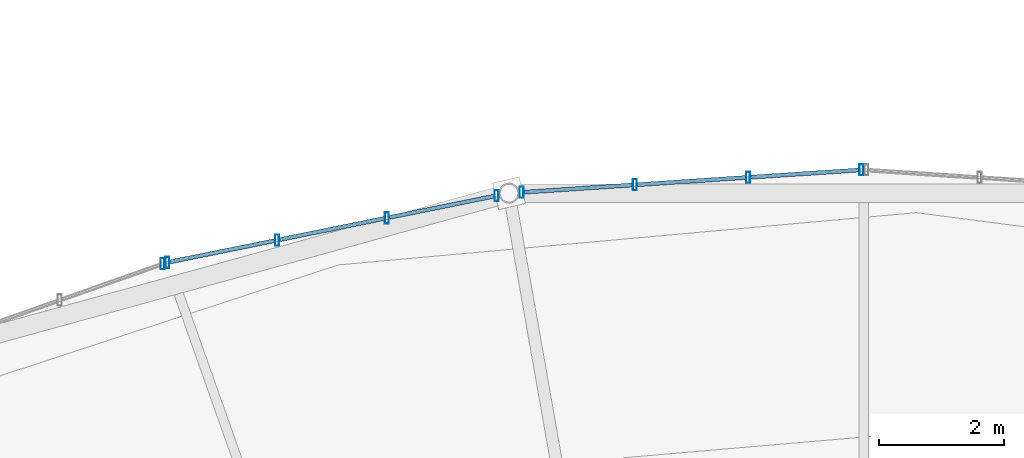
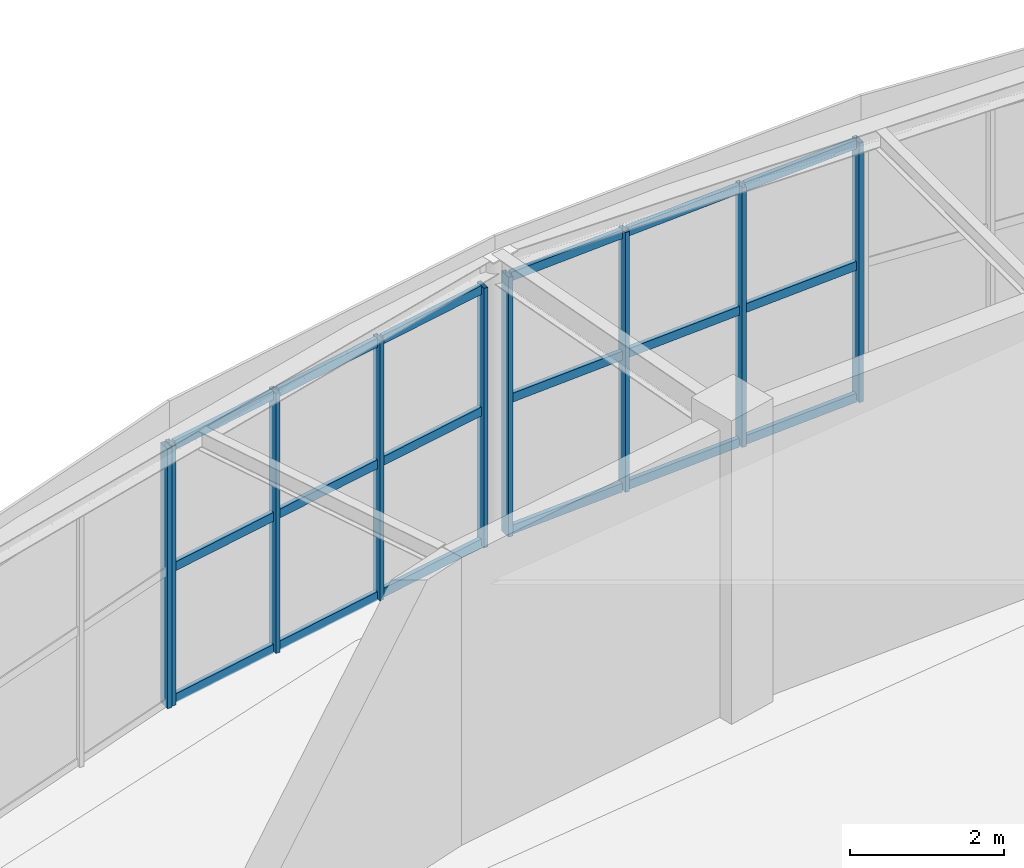
# One storey, part 59 of 108: 27 members, 3 elements without a shape of their own.
"""IFC4 building model written with IfcOpenShell, lengths in metres."""

from ifc_helpers import new_model, si_unit, direction, frame, origin, origin_2d, place, context, subcontext, project, spatial, hollow_rectangle, extrude, material, material_profile, profile_set, type_object, element, aggregate, save


model = new_model("IFC4")

# Units and contexts
model_context = context("Model", 3, precision=1e-05, world=origin(), true_north=direction((0.0, 1.0)))
body_context = subcontext(model_context, "Body", "Model", "MODEL_VIEW")
ifc_project = project(units=[si_unit("LENGTHUNIT", "METRE"), si_unit("AREAUNIT", "SQUARE_METRE"), si_unit("VOLUMEUNIT", "CUBIC_METRE"), si_unit("PLANEANGLEUNIT", "RADIAN"), si_unit("MASSUNIT", "GRAM", prefix="KILO")], contexts=[model_context])

# Site, building, storey
site_placement = place(None, origin())
site = spatial("IfcSite", under=ifc_project, at=site_placement, CompositionType="ELEMENT")
building_placement = place(site_placement, origin())
building = spatial("IfcBuilding", under=site, at=building_placement, Name="Tarnveldt Headland Concert Hall", CompositionType="ELEMENT")
storey_placement = place(building_placement, frame((0.0, 0.0, 9.60009765625)))
storey = spatial("IfcBuildingStorey", under=building, at=storey_placement, Name="L02", CompositionType="ELEMENT", Elevation=9.60009765625)

# Curtain wall, members
ifc_material = material(Name="Marine-anodised aluminium EN AW-6063-T6", Category="aluminium")
curtain_wall_type = type_object("IfcCurtainWallType", Name="CW-F3", PredefinedType="NOTDEFINED", material=ifc_material)
curtain_wall_1_placement = place(storey_placement, origin())
curtain_wall_1 = element("IfcCurtainWall", 1, at=curtain_wall_1_placement, inside=storey, type_object=curtain_wall_type, Name="Curtain wall CW-L02-069", PredefinedType="NOTDEFINED")
ifc_material_profile_1 = material_profile(ifc_material, hollow_rectangle(XDim=0.06494140625, YDim=0.179931640625, WallThickness=0.00390625, at=origin_2d()), Name="ALU MULLION 65x180x4", Category="aluminium")
ifc_profile_set_1 = profile_set([ifc_material_profile_1], Name="Marine-anodised aluminium EN AW-6063-T6")
member_type_1 = type_object("IfcMemberType", Name="ML-180", PredefinedType="MULLION", material=ifc_profile_set_1)
member_1_placement = place(storey_placement, frame((83.460205078125, 79.29736328125, 0.0), z_axis=(0.0, 0.0, 1.0), x_axis=(1.0, 0.0, 0.0)))
member_1 = element("IfcMember", 2, at=member_1_placement, type_object=member_type_1, Name="Mullion CW-L02-069-1", PredefinedType="MULLION", context=body_context, shape_type="SweptSolid", body=[
    extrude(hollow_rectangle(XDim=0.06494140625, YDim=0.179931640625, WallThickness=0.00390625, at=origin_2d()), origin(), (0.0, 0.0, 1.0), 4.10791015625),
])
member_2_placement = place(storey_placement, frame((81.64208984375, 79.177001953125, 0.0), z_axis=(0.0, 0.0, 1.0), x_axis=(1.0, 0.0, 0.0)))
member_2 = element("IfcMember", 3, at=member_2_placement, type_object=member_type_1, Name="Mullion CW-L02-069-2", PredefinedType="MULLION", context=body_context, shape_type="SweptSolid", body=[
    extrude(hollow_rectangle(XDim=0.06494140625, YDim=0.179931640625, WallThickness=0.00390625, at=origin_2d()), origin(), (0.0, 0.0, 1.0), 4.10791015625),
])
member_3_placement = place(storey_placement, frame((79.823974609375, 79.056884765625, 0.0), z_axis=(0.0, 0.0, 1.0), x_axis=(1.0, 0.0, 0.0)))
member_3 = element("IfcMember", 4, at=member_3_placement, type_object=member_type_1, Name="Mullion CW-L02-069-3", PredefinedType="MULLION", context=body_context, shape_type="SweptSolid", body=[
    extrude(hollow_rectangle(XDim=0.06494140625, YDim=0.179931640625, WallThickness=0.00390625, at=origin_2d()), origin(), (0.0, 0.0, 1.0), 4.10791015625),
])
member_4_placement = place(storey_placement, frame((78.005859375, 78.9365234375, 0.0), z_axis=(0.0, 0.0, 1.0), x_axis=(1.0, 0.0, 0.0)))
member_4 = element("IfcMember", 5, at=member_4_placement, type_object=member_type_1, Name="Mullion CW-L02-069-4", PredefinedType="MULLION", context=body_context, shape_type="SweptSolid", body=[
    extrude(hollow_rectangle(XDim=0.06494140625, YDim=0.179931640625, WallThickness=0.00390625, at=origin_2d()), origin(), (0.0, 0.0, 1.0), 4.10791015625),
])

curtain_wall_2_placement = place(storey_placement, origin())
curtain_wall_2 = element("IfcCurtainWall", 6, at=curtain_wall_2_placement, inside=storey, type_object=curtain_wall_type, Name="Curtain wall CW-L02-070", PredefinedType="NOTDEFINED")
member_5_placement = place(storey_placement, frame((77.6064453125, 78.883056640625, 0.0), z_axis=(0.0, 0.0, 1.0), x_axis=(1.0, 0.0, 0.0)))
member_5 = element("IfcMember", 7, at=member_5_placement, type_object=member_type_1, Name="Mullion CW-L02-070-1", PredefinedType="MULLION", context=body_context, shape_type="SweptSolid", body=[
    extrude(hollow_rectangle(XDim=0.06494140625, YDim=0.179931640625, WallThickness=0.00390625, at=origin_2d()), origin(), (0.0, 0.0, 1.0), 4.10791015625),
])
member_6_placement = place(storey_placement, frame((75.844482421875, 78.526123046875, 0.0), z_axis=(0.0, 0.0, 1.0), x_axis=(1.0, 0.0, 0.0)))
member_6 = element("IfcMember", 8, at=member_6_placement, type_object=member_type_1, Name="Mullion CW-L02-070-2", PredefinedType="MULLION", context=body_context, shape_type="SweptSolid", body=[
    extrude(hollow_rectangle(XDim=0.06494140625, YDim=0.179931640625, WallThickness=0.00390625, at=origin_2d()), origin(), (0.0, 0.0, 1.0), 4.10791015625),
])
member_7_placement = place(storey_placement, frame((74.082763671875, 78.169189453125, 0.0), z_axis=(0.0, 0.0, 1.0), x_axis=(1.0, 0.0, 0.0)))
member_7 = element("IfcMember", 9, at=member_7_placement, type_object=member_type_1, Name="Mullion CW-L02-070-3", PredefinedType="MULLION", context=body_context, shape_type="SweptSolid", body=[
    extrude(hollow_rectangle(XDim=0.06494140625, YDim=0.179931640625, WallThickness=0.00390625, at=origin_2d()), origin(), (0.0, 0.0, 1.0), 4.10791015625),
])
member_8_placement = place(storey_placement, frame((72.32080078125, 77.812255859375, 0.0), z_axis=(0.0, 0.0, 1.0), x_axis=(1.0, 0.0, 0.0)))
member_8 = element("IfcMember", 10, at=member_8_placement, type_object=member_type_1, Name="Mullion CW-L02-070-4", PredefinedType="MULLION", context=body_context, shape_type="SweptSolid", body=[
    extrude(hollow_rectangle(XDim=0.06494140625, YDim=0.179931640625, WallThickness=0.00390625, at=origin_2d()), origin(), (0.0, 0.0, 1.0), 4.10791015625),
])

# Curtain wall, member
curtain_wall_3_placement = place(storey_placement, origin())
curtain_wall_3 = element("IfcCurtainWall", 11, at=curtain_wall_3_placement, inside=storey, type_object=curtain_wall_type, Name="Curtain wall CW-L02-071", PredefinedType="NOTDEFINED")
member_9_placement = place(storey_placement, frame((72.243896484375, 77.791015625, 0.0), z_axis=(0.0, 0.0, 1.0), x_axis=(1.0, 0.0, 0.0)))
member_9 = element("IfcMember", 12, at=member_9_placement, type_object=member_type_1, Name="Mullion CW-L02-071-1", PredefinedType="MULLION", context=body_context, shape_type="SweptSolid", body=[
    extrude(hollow_rectangle(XDim=0.06494140625, YDim=0.179931640625, WallThickness=0.00390625, at=origin_2d()), origin(), (0.0, 0.0, 1.0), 4.10791015625),
])
aggregate(curtain_wall_3, [member_9])

# Member
ifc_material_profile_2 = material_profile(ifc_material, hollow_rectangle(XDim=0.06494140625, YDim=0.139892578125, WallThickness=0.00390625, at=origin_2d()), Name="ALU TRANSOM 65x140x4", Category="aluminium")
ifc_profile_set_2 = profile_set([ifc_material_profile_2], Name="Marine-anodised aluminium EN AW-6063-T6")
member_type_2 = type_object("IfcMemberType", Name="TR-140", PredefinedType="MEMBER", material=ifc_profile_set_2)
member_10_placement = place(storey_placement, frame((83.415771484375, 79.29443359375, 0.0498046875), z_axis=(-0.997815592021, -0.066060913701, 0.0), x_axis=(0.066060913701, -0.997815592021, 0.0)))
member_10 = element("IfcMember", 13, at=member_10_placement, type_object=member_type_2, Name="Transom CW-L02-069-1-1", PredefinedType="MEMBER", context=body_context, shape_type="SweptSolid", body=[
    extrude(hollow_rectangle(XDim=0.06494140625, YDim=0.139892578125, WallThickness=0.00390625, at=origin_2d()), origin(), (0.0, 0.0, 1.0), 1.7333984375),
])

member_11_placement = place(storey_placement, frame((83.415771484375, 79.29443359375, 2.135986328125), z_axis=(-0.997815592021, -0.066060913701, 0.0), x_axis=(0.066060913701, -0.997815592021, 0.0)))
member_11 = element("IfcMember", 14, at=member_11_placement, type_object=member_type_2, Name="Transom CW-L02-069-1-2", PredefinedType="MEMBER", context=body_context, shape_type="SweptSolid", body=[
    extrude(hollow_rectangle(XDim=0.06494140625, YDim=0.139892578125, WallThickness=0.00390625, at=origin_2d()), origin(), (0.0, 0.0, 1.0), 1.7333984375),
])

member_12_placement = place(storey_placement, frame((83.415771484375, 79.29443359375, 4.057861328125), z_axis=(-0.997815592021, -0.066060913701, 0.0), x_axis=(0.066060913701, -0.997815592021, 0.0)))
member_12 = element("IfcMember", 15, at=member_12_placement, type_object=member_type_2, Name="Transom CW-L02-069-1-3", PredefinedType="MEMBER", context=body_context, shape_type="SweptSolid", body=[
    extrude(hollow_rectangle(XDim=0.06494140625, YDim=0.139892578125, WallThickness=0.00390625, at=origin_2d()), origin(), (0.0, 0.0, 1.0), 1.7333984375),
])

member_13_placement = place(storey_placement, frame((81.59765625, 79.17431640625, 0.0498046875), z_axis=(-0.997814977195, -0.066070199676, 0.0), x_axis=(0.066070199676, -0.997814977195, 0.0)))
member_13 = element("IfcMember", 16, at=member_13_placement, type_object=member_type_2, Name="Transom CW-L02-069-2-1", PredefinedType="MEMBER", context=body_context, shape_type="SweptSolid", body=[
    extrude(hollow_rectangle(XDim=0.06494140625, YDim=0.139892578125, WallThickness=0.00390625, at=origin_2d()), origin(), (0.0, 0.0, 1.0), 1.733154296875),
])

member_14_placement = place(storey_placement, frame((81.59765625, 79.17431640625, 2.135986328125), z_axis=(-0.997814977195, -0.066070199676, 0.0), x_axis=(0.066070199676, -0.997814977195, 0.0)))
member_14 = element("IfcMember", 17, at=member_14_placement, type_object=member_type_2, Name="Transom CW-L02-069-2-2", PredefinedType="MEMBER", context=body_context, shape_type="SweptSolid", body=[
    extrude(hollow_rectangle(XDim=0.06494140625, YDim=0.139892578125, WallThickness=0.00390625, at=origin_2d()), origin(), (0.0, 0.0, 1.0), 1.733154296875),
])

member_15_placement = place(storey_placement, frame((81.59765625, 79.17431640625, 4.057861328125), z_axis=(-0.997814977195, -0.066070199676, 0.0), x_axis=(0.066070199676, -0.997814977195, 0.0)))
member_15 = element("IfcMember", 18, at=member_15_placement, type_object=member_type_2, Name="Transom CW-L02-069-2-3", PredefinedType="MEMBER", context=body_context, shape_type="SweptSolid", body=[
    extrude(hollow_rectangle(XDim=0.06494140625, YDim=0.139892578125, WallThickness=0.00390625, at=origin_2d()), origin(), (0.0, 0.0, 1.0), 1.733154296875),
])

member_16_placement = place(storey_placement, frame((79.779541015625, 79.053955078125, 0.0498046875), z_axis=(-0.997814977195, -0.066070199676, 0.0), x_axis=(0.066070199676, -0.997814977195, 0.0)))
member_16 = element("IfcMember", 19, at=member_16_placement, type_object=member_type_2, Name="Transom CW-L02-069-3-1", PredefinedType="MEMBER", context=body_context, shape_type="SweptSolid", body=[
    extrude(hollow_rectangle(XDim=0.06494140625, YDim=0.139892578125, WallThickness=0.00390625, at=origin_2d()), origin(), (0.0, 0.0, 1.0), 1.733154296875),
])

member_17_placement = place(storey_placement, frame((79.779541015625, 79.053955078125, 2.135986328125), z_axis=(-0.997814977195, -0.066070199676, 0.0), x_axis=(0.066070199676, -0.997814977195, 0.0)))
member_17 = element("IfcMember", 20, at=member_17_placement, type_object=member_type_2, Name="Transom CW-L02-069-3-2", PredefinedType="MEMBER", context=body_context, shape_type="SweptSolid", body=[
    extrude(hollow_rectangle(XDim=0.06494140625, YDim=0.139892578125, WallThickness=0.00390625, at=origin_2d()), origin(), (0.0, 0.0, 1.0), 1.733154296875),
])

member_18_placement = place(storey_placement, frame((79.779541015625, 79.053955078125, 4.057861328125), z_axis=(-0.997814977195, -0.066070199676, 0.0), x_axis=(0.066070199676, -0.997814977195, 0.0)))
member_18 = element("IfcMember", 21, at=member_18_placement, type_object=member_type_2, Name="Transom CW-L02-069-3-3", PredefinedType="MEMBER", context=body_context, shape_type="SweptSolid", body=[
    extrude(hollow_rectangle(XDim=0.06494140625, YDim=0.139892578125, WallThickness=0.00390625, at=origin_2d()), origin(), (0.0, 0.0, 1.0), 1.733154296875),
])

aggregate(curtain_wall_1, [member_1, member_2, member_3, member_4, member_10, member_11, member_12, member_13, member_14, member_15, member_16, member_17, member_18])

member_19_placement = place(storey_placement, frame((77.562744140625, 78.874267578125, 0.0498046875), z_axis=(-0.980077374986, -0.198616059372, 0.0), x_axis=(0.198616059372, -0.980077374986, 0.0)))
member_19 = element("IfcMember", 22, at=member_19_placement, type_object=member_type_2, Name="Transom CW-L02-070-1-1", PredefinedType="MEMBER", context=body_context, shape_type="SweptSolid", body=[
    extrude(hollow_rectangle(XDim=0.06494140625, YDim=0.139892578125, WallThickness=0.00390625, at=origin_2d()), origin(), (0.0, 0.0, 1.0), 1.70849609375),
])

member_20_placement = place(storey_placement, frame((77.562744140625, 78.874267578125, 2.135986328125), z_axis=(-0.980077374986, -0.198616059372, 0.0), x_axis=(0.198616059372, -0.980077374986, 0.0)))
member_20 = element("IfcMember", 23, at=member_20_placement, type_object=member_type_2, Name="Transom CW-L02-070-1-2", PredefinedType="MEMBER", context=body_context, shape_type="SweptSolid", body=[
    extrude(hollow_rectangle(XDim=0.06494140625, YDim=0.139892578125, WallThickness=0.00390625, at=origin_2d()), origin(), (0.0, 0.0, 1.0), 1.70849609375),
])

member_21_placement = place(storey_placement, frame((77.562744140625, 78.874267578125, 4.057861328125), z_axis=(-0.980077374986, -0.198616059372, 0.0), x_axis=(0.198616059372, -0.980077374986, 0.0)))
member_21 = element("IfcMember", 24, at=member_21_placement, type_object=member_type_2, Name="Transom CW-L02-070-1-3", PredefinedType="MEMBER", context=body_context, shape_type="SweptSolid", body=[
    extrude(hollow_rectangle(XDim=0.06494140625, YDim=0.139892578125, WallThickness=0.00390625, at=origin_2d()), origin(), (0.0, 0.0, 1.0), 1.70849609375),
])

member_22_placement = place(storey_placement, frame((75.801025390625, 78.517333984375, 0.0498046875), z_axis=(-0.980083010546, -0.198588248493, 0.0), x_axis=(0.198588248493, -0.980083010546, 0.0)))
member_22 = element("IfcMember", 25, at=member_22_placement, type_object=member_type_2, Name="Transom CW-L02-070-2-1", PredefinedType="MEMBER", context=body_context, shape_type="SweptSolid", body=[
    extrude(hollow_rectangle(XDim=0.06494140625, YDim=0.139892578125, WallThickness=0.00390625, at=origin_2d()), origin(), (0.0, 0.0, 1.0), 1.708740234375),
])

member_23_placement = place(storey_placement, frame((75.801025390625, 78.517333984375, 2.135986328125), z_axis=(-0.980083010546, -0.198588248493, 0.0), x_axis=(0.198588248493, -0.980083010546, 0.0)))
member_23 = element("IfcMember", 26, at=member_23_placement, type_object=member_type_2, Name="Transom CW-L02-070-2-2", PredefinedType="MEMBER", context=body_context, shape_type="SweptSolid", body=[
    extrude(hollow_rectangle(XDim=0.06494140625, YDim=0.139892578125, WallThickness=0.00390625, at=origin_2d()), origin(), (0.0, 0.0, 1.0), 1.708740234375),
])

member_24_placement = place(storey_placement, frame((75.801025390625, 78.517333984375, 4.057861328125), z_axis=(-0.980083010546, -0.198588248493, 0.0), x_axis=(0.198588248493, -0.980083010546, 0.0)))
member_24 = element("IfcMember", 27, at=member_24_placement, type_object=member_type_2, Name="Transom CW-L02-070-2-3", PredefinedType="MEMBER", context=body_context, shape_type="SweptSolid", body=[
    extrude(hollow_rectangle(XDim=0.06494140625, YDim=0.139892578125, WallThickness=0.00390625, at=origin_2d()), origin(), (0.0, 0.0, 1.0), 1.708740234375),
])

member_25_placement = place(storey_placement, frame((74.0390625, 78.160400390625, 0.0498046875), z_axis=(-0.980077374986, -0.198616059372, 0.0), x_axis=(0.198616059372, -0.980077374986, 0.0)))
member_25 = element("IfcMember", 28, at=member_25_placement, type_object=member_type_2, Name="Transom CW-L02-070-3-1", PredefinedType="MEMBER", context=body_context, shape_type="SweptSolid", body=[
    extrude(hollow_rectangle(XDim=0.06494140625, YDim=0.139892578125, WallThickness=0.00390625, at=origin_2d()), origin(), (0.0, 0.0, 1.0), 1.70849609375),
])

member_26_placement = place(storey_placement, frame((74.0390625, 78.160400390625, 2.135986328125), z_axis=(-0.980077374986, -0.198616059372, 0.0), x_axis=(0.198616059372, -0.980077374986, 0.0)))
member_26 = element("IfcMember", 29, at=member_26_placement, type_object=member_type_2, Name="Transom CW-L02-070-3-2", PredefinedType="MEMBER", context=body_context, shape_type="SweptSolid", body=[
    extrude(hollow_rectangle(XDim=0.06494140625, YDim=0.139892578125, WallThickness=0.00390625, at=origin_2d()), origin(), (0.0, 0.0, 1.0), 1.70849609375),
])

member_27_placement = place(storey_placement, frame((74.0390625, 78.160400390625, 4.057861328125), z_axis=(-0.980077374986, -0.198616059372, 0.0), x_axis=(0.198616059372, -0.980077374986, 0.0)))
member_27 = element("IfcMember", 30, at=member_27_placement, type_object=member_type_2, Name="Transom CW-L02-070-3-3", PredefinedType="MEMBER", context=body_context, shape_type="SweptSolid", body=[
    extrude(hollow_rectangle(XDim=0.06494140625, YDim=0.139892578125, WallThickness=0.00390625, at=origin_2d()), origin(), (0.0, 0.0, 1.0), 1.70849609375),
])

aggregate(curtain_wall_2, [member_5, member_6, member_7, member_8, member_19, member_20, member_21, member_22, member_23, member_24, member_25, member_26, member_27])

save(model, "model.ifc")
